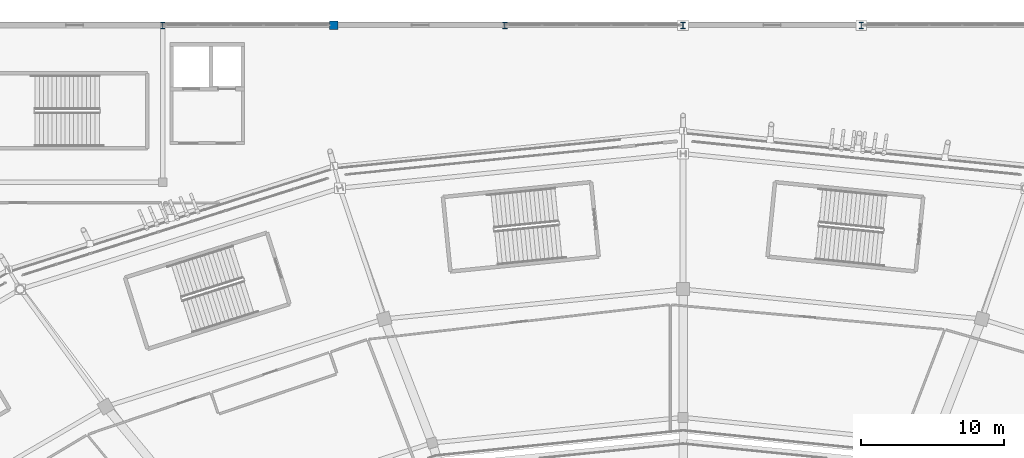
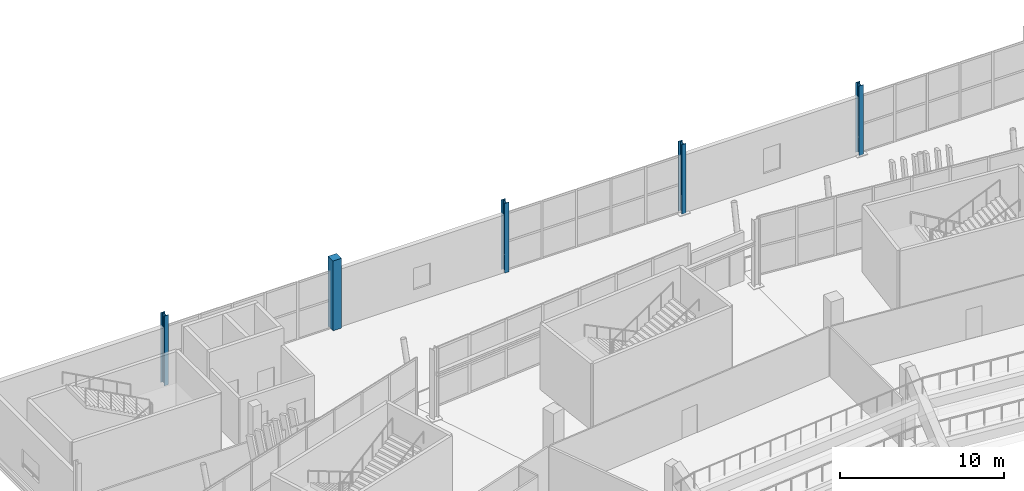
# One storey, part 19 of 178: 5 columns.
"""IFC4 building model written with IfcOpenShell, lengths in metres."""

from ifc_helpers import new_model, si_unit, direction, frame, origin, origin_2d, place, context, subcontext, project, spatial, rectangle, i_section, extrude, material, material_profile, profile_set, type_object, element, save


model = new_model("IFC4")

# Units and contexts
model_context = context("Model", 3, precision=1e-05, world=origin(), true_north=direction((0.0, 1.0)))
body_context = subcontext(model_context, "Body", "Model", "MODEL_VIEW")
ifc_project = project(units=[si_unit("LENGTHUNIT", "METRE"), si_unit("AREAUNIT", "SQUARE_METRE"), si_unit("VOLUMEUNIT", "CUBIC_METRE"), si_unit("PLANEANGLEUNIT", "RADIAN"), si_unit("MASSUNIT", "GRAM", prefix="KILO")], contexts=[model_context])

# Site, building, storey
site_placement = place(None, origin())
site = spatial("IfcSite", under=ifc_project, at=site_placement, CompositionType="ELEMENT")
building_placement = place(site_placement, origin())
building = spatial("IfcBuilding", under=site, at=building_placement, Name="Zlatoyarsky Gate Stadium", CompositionType="ELEMENT")
storey_placement = place(building_placement, frame((0.0, 0.0, 5.39990234375)))
storey = spatial("IfcBuildingStorey", under=building, at=storey_placement, Name="L01", CompositionType="ELEMENT", Elevation=5.39990234375)

# Columns
ifc_material_1 = material(Name="Concrete C40/50", Category="concrete")
ifc_material_profile_1 = material_profile(ifc_material_1, rectangle(XDim=0.60009765625, YDim=0.60009765625, at=origin_2d()), Name="RC COL 600X600")
ifc_profile_set_1 = profile_set([ifc_material_profile_1], Name="Concrete C40/50")
column_type_1 = type_object("IfcColumnType", Name="CONCRETE COLUMN 600X600", PredefinedType="COLUMN", material=ifc_profile_set_1)
column_placement = place(storey_placement, frame((86.5, 160.0, 0.0), z_axis=(0.0, 0.0, 1.0), x_axis=(1.0, 0.0, 0.0)))
element("IfcColumn", 1, at=column_placement, inside=storey, type_object=column_type_1, Name="Column RC-C60 WG-8-Q on L01", PredefinedType="COLUMN", context=body_context, shape_type="SweptSolid", body=[
    extrude(rectangle(XDim=0.60009765625, YDim=0.60009765625, at=origin_2d()), origin(), (0.0, 0.0, 1.0), 5.2001953125),
])
ifc_material_2 = material(Name="Steel S355", Category="steel")
ifc_material_profile_2 = material_profile(ifc_material_2, i_section(OverallWidth=0.300048828125, OverallDepth=0.449951171875, WebThickness=0.013916015625, FlangeThickness=0.02587890625, FilletRadius=0.027099609375, at=origin_2d()), Name="HEB 450")
ifc_profile_set_2 = profile_set([ifc_material_profile_2], Name="Steel S355")
column_type_2 = type_object("IfcColumnType", Name="STEEL COLUMN HEB 450", PredefinedType="COLUMN", material=ifc_profile_set_2)
for number, where, z_axis, x_axis, name in (
    (2, (111.0, 160.0, 0.0), (0.0, 0.0, 1.0), (1.0, 0.0, 0.0), "Column ST-C450 WG-10-Q on L01"),
    (3, (123.5, 160.0, 0.0), (0.0, 0.0, 1.0), (1.0, 0.0, 0.0), "Column ST-C450 WG-11-Q on L01"),
    (4, (74.5, 160.0, 0.0), (0.0, 0.0, 1.0), (1.0, 0.0, 0.0), "Column ST-C450 WG-7-Q on L01"),
    (5, (98.5, 160.0, 0.0), (0.0, 0.0, 1.0), (1.0, 0.0, 0.0), "Column ST-C450 WG-9-Q on L01"),
):
    element("IfcColumn", number, at=place(storey_placement, frame(where, z_axis=z_axis, x_axis=x_axis)), inside=storey, type_object=column_type_2, Name=name, PredefinedType="COLUMN", context=body_context, shape_type="SweptSolid", body=[
        extrude(i_section(OverallWidth=0.300048828125, OverallDepth=0.449951171875, WebThickness=0.013916015625, FlangeThickness=0.02587890625, FilletRadius=0.027099609375, at=origin_2d()), origin(), (0.0, 0.0, 1.0), 5.2001953125),
    ])

save(model, "model.ifc")
